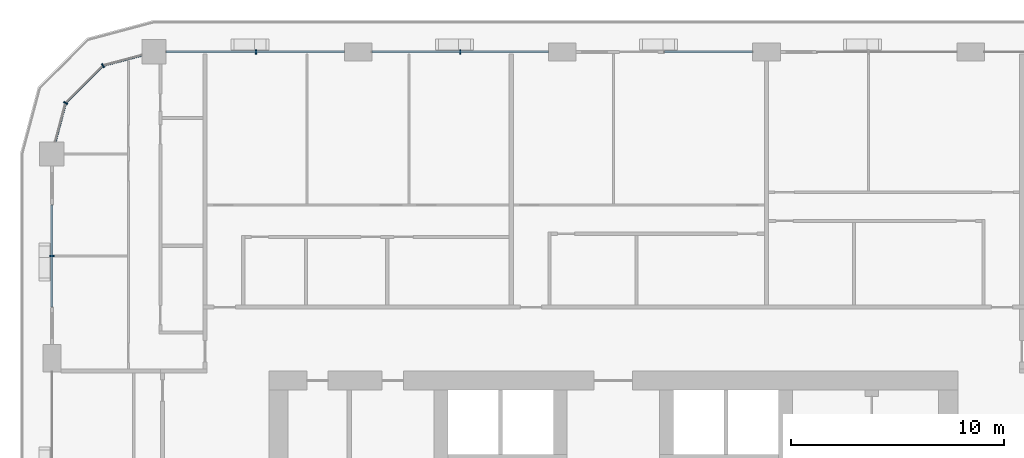
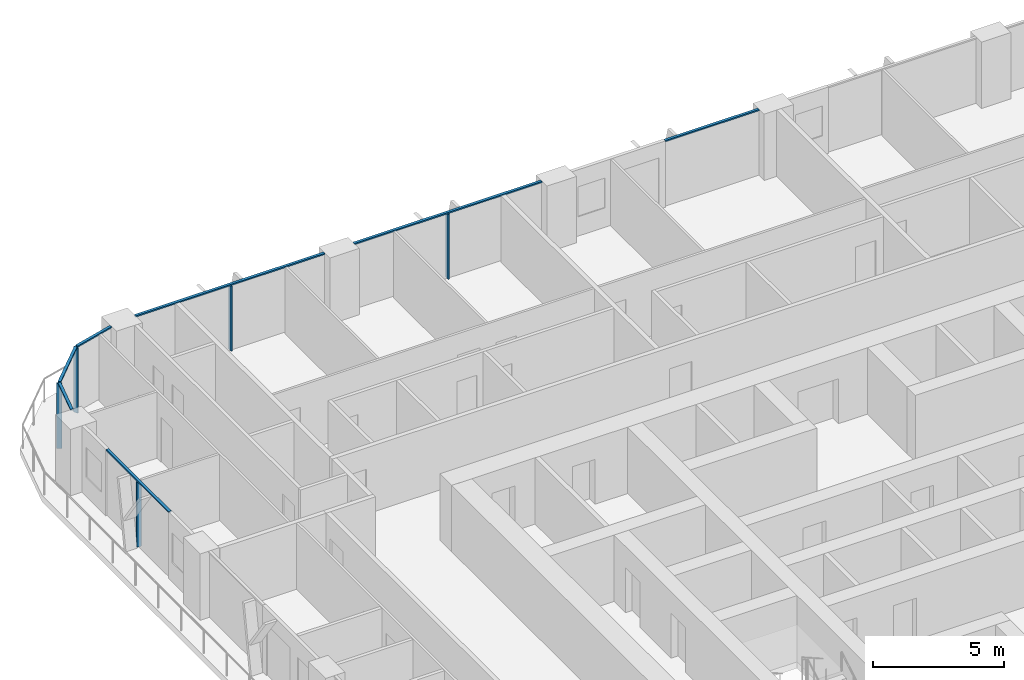
# One storey, part 5 of 21: 12 members, 5 elements without a shape of their own.
"""IFC4 building model written with IfcOpenShell, lengths in metres."""

from ifc_helpers import new_model, si_unit, direction, frame, origin, origin_2d, place, context, subcontext, project, spatial, rectangle, extrude, material, layer, layer_set, material_profile, profile_set, type_object, element, aggregate, save


model = new_model("IFC4")

# Units and contexts
model_context = context("Model", 3, precision=1e-05, world=origin(), true_north=direction((0.0, 1.0)))
body_context = subcontext(model_context, "Body", "Model", "MODEL_VIEW")
ifc_project = project(units=[si_unit("LENGTHUNIT", "METRE"), si_unit("AREAUNIT", "SQUARE_METRE"), si_unit("VOLUMEUNIT", "CUBIC_METRE"), si_unit("PLANEANGLEUNIT", "RADIAN"), si_unit("MASSUNIT", "GRAM", prefix="KILO")], contexts=[model_context])

# Site, building, storey
site_placement = place(None, origin())
site = spatial("IfcSite", under=ifc_project, at=site_placement, CompositionType="ELEMENT")
building_placement = place(site_placement, origin())
building = spatial("IfcBuilding", under=site, at=building_placement, Name="Madar Terraces", CompositionType="ELEMENT")
storey_placement = place(building_placement, frame((0.0, 0.0, 110.199951171875)))
storey = spatial("IfcBuildingStorey", under=building, at=storey_placement, Name="L28", CompositionType="ELEMENT", Elevation=110.199951171875)

# Curtain wall, member
ifc_material_1 = material(Name="Glass, ceramic frit dark grey, with black aluminium frame", Category="aluminium")
ifc_layer = layer(ifc_material_1, 0.199951171875)
ifc_layer_set = layer_set([ifc_layer], Name="Facade curtain wall, fritted glass")
curtain_wall_type = type_object("IfcCurtainWallType", Name="Facade curtain wall, fritted glass", PredefinedType="NOTDEFINED", material=ifc_layer_set)
curtain_wall_1_placement = place(storey_placement, origin())
curtain_wall_1 = element("IfcCurtainWall", 1, at=curtain_wall_1_placement, inside=storey, type_object=curtain_wall_type, Name="Outer skin curtain wall north bay 4", PredefinedType="NOTDEFINED")
ifc_material_2 = material(Name="Aluminium, black anodised", Category="aluminium")
ifc_material_profile_1 = material_profile(ifc_material_2, rectangle(XDim=0.199951171875, YDim=0.06005859375, at=origin_2d()), Name="Facade mullion 60x200")
ifc_profile_set_1 = profile_set([ifc_material_profile_1], Name="Aluminium, black anodised")
member_type_1 = type_object("IfcMemberType", Name="Facade mullion 60x200", PredefinedType="MULLION", material=ifc_profile_set_1)
member_1_placement = place(storey_placement, frame((24.0, 52.800048828125, 0.0), z_axis=(0.0, 0.0, 1.0), x_axis=(0.0, -1.0, 0.0)))
member_1 = element("IfcMember", 2, at=member_1_placement, type_object=member_type_1, Name="Mullion 1", PredefinedType="MULLION", context=body_context, shape_type="SweptSolid", body=[
    extrude(rectangle(XDim=0.199951171875, YDim=0.06005859375, at=origin_2d()), origin(), (0.0, 0.0, 1.0), 3.0400390625),
])

curtain_wall_2_placement = place(storey_placement, origin())
curtain_wall_2 = element("IfcCurtainWall", 3, at=curtain_wall_2_placement, inside=storey, type_object=curtain_wall_type, Name="Outer skin curtain wall north bay 5", PredefinedType="NOTDEFINED")
member_2_placement = place(storey_placement, frame((14.39990234375, 52.800048828125, 0.0), z_axis=(0.0, 0.0, 1.0), x_axis=(0.0, -1.0, 0.0)))
member_2 = element("IfcMember", 4, at=member_2_placement, type_object=member_type_1, Name="Mullion 1", PredefinedType="MULLION", context=body_context, shape_type="SweptSolid", body=[
    extrude(rectangle(XDim=0.199951171875, YDim=0.06005859375, at=origin_2d()), origin(), (0.0, 0.0, 1.0), 3.0400390625),
])

curtain_wall_3_placement = place(storey_placement, origin())
curtain_wall_3 = element("IfcCurtainWall", 5, at=curtain_wall_3_placement, inside=storey, type_object=curtain_wall_type, Name="Outer skin curtain wall west bay 1", PredefinedType="NOTDEFINED")
member_3_placement = place(storey_placement, frame((4.800048828125, 43.199951171875, 0.0), z_axis=(0.0, 0.0, 1.0), x_axis=(1.0, 0.0, 0.0)))
member_3 = element("IfcMember", 6, at=member_3_placement, type_object=member_type_1, Name="Mullion 1", PredefinedType="MULLION", context=body_context, shape_type="SweptSolid", body=[
    extrude(rectangle(XDim=0.199951171875, YDim=0.06005859375, at=origin_2d()), origin(), (0.0, 0.0, 1.0), 3.0400390625),
])

# Curtain wall, members
curtain_wall_4_placement = place(storey_placement, origin())
curtain_wall_4 = element("IfcCurtainWall", 7, at=curtain_wall_4_placement, inside=storey, type_object=curtain_wall_type, Name="Outer skin curtain wall north-west corner", PredefinedType="NOTDEFINED")
member_4_placement = place(storey_placement, frame((7.199951171875, 52.156982421875, 0.0), z_axis=(0.0, 0.0, 1.0), x_axis=(0.499999989586, -0.866025409797, 0.0)))
member_4 = element("IfcMember", 8, at=member_4_placement, type_object=member_type_1, Name="Mullion 1", PredefinedType="MULLION", context=body_context, shape_type="SweptSolid", body=[
    extrude(rectangle(XDim=0.199951171875, YDim=0.06005859375, at=origin_2d()), origin(), (0.0, 0.0, 1.0), 3.0400390625),
])
member_5_placement = place(storey_placement, frame((5.443115234375, 50.39990234375, 0.0), z_axis=(0.0, 0.0, 1.0), x_axis=(0.866025409797, -0.499999989586, 0.0)))
member_5 = element("IfcMember", 9, at=member_5_placement, type_object=member_type_1, Name="Mullion 2", PredefinedType="MULLION", context=body_context, shape_type="SweptSolid", body=[
    extrude(rectangle(XDim=0.199951171875, YDim=0.06005859375, at=origin_2d()), origin(), (0.0, 0.0, 1.0), 3.0400390625),
])

# Curtain wall, member
curtain_wall_5_placement = place(storey_placement, origin())
curtain_wall_5 = element("IfcCurtainWall", 10, at=curtain_wall_5_placement, inside=storey, type_object=curtain_wall_type, Name="Outer skin curtain wall north bay 3", PredefinedType="NOTDEFINED")
ifc_material_3 = material(Name="Aluminium, black anodised", Category="aluminium")
ifc_material_profile_2 = material_profile(ifc_material_3, rectangle(XDim=0.1201171875, YDim=0.06005859375, at=origin_2d()), Name="Facade transom 60x120")
ifc_profile_set_2 = profile_set([ifc_material_profile_2], Name="Aluminium, black anodised")
member_type_2 = type_object("IfcMemberType", Name="Facade transom 60x120", PredefinedType="USERDEFINED", material=ifc_profile_set_2)
member_6_placement = place(storey_placement, frame((37.75, 52.800048828125, 3.070068359375), z_axis=(-1.0, 0.0, 0.0), x_axis=(0.0, -1.0, 0.0)))
member_6 = element("IfcMember", 11, at=member_6_placement, type_object=member_type_2, Name="Transom 1", ObjectType="TRANSOM", PredefinedType="USERDEFINED", context=body_context, shape_type="SweptSolid", body=[
    extrude(rectangle(XDim=0.1201171875, YDim=0.06005859375, at=origin_2d()), origin(), (0.0, 0.0, 1.0), 4.14990234375),
])
aggregate(curtain_wall_5, [member_6])

# Member
member_7_placement = place(storey_placement, frame((28.14990234375, 52.800048828125, 3.070068359375), z_axis=(-1.0, 0.0, 0.0), x_axis=(0.0, -1.0, 0.0)))
member_7 = element("IfcMember", 12, at=member_7_placement, type_object=member_type_2, Name="Transom 1", ObjectType="TRANSOM", PredefinedType="USERDEFINED", context=body_context, shape_type="SweptSolid", body=[
    extrude(rectangle(XDim=0.1201171875, YDim=0.06005859375, at=origin_2d()), origin(), (0.0, 0.0, 1.0), 8.2998046875),
])

aggregate(curtain_wall_1, [member_1, member_7])

member_8_placement = place(storey_placement, frame((18.550048828125, 52.800048828125, 3.070068359375), z_axis=(-1.0, 0.0, 0.0), x_axis=(0.0, -1.0, 0.0)))
member_8 = element("IfcMember", 13, at=member_8_placement, type_object=member_type_2, Name="Transom 1", ObjectType="TRANSOM", PredefinedType="USERDEFINED", context=body_context, shape_type="SweptSolid", body=[
    extrude(rectangle(XDim=0.1201171875, YDim=0.06005859375, at=origin_2d()), origin(), (0.0, 0.0, 1.0), 8.375),
])

aggregate(curtain_wall_2, [member_2, member_8])

member_9_placement = place(storey_placement, frame((4.800048828125, 45.60009765625, 3.070068359375), z_axis=(0.0, -1.0, 0.0), x_axis=(1.0, 0.0, 0.0)))
member_9 = element("IfcMember", 14, at=member_9_placement, type_object=member_type_2, Name="Transom 1", ObjectType="TRANSOM", PredefinedType="USERDEFINED", context=body_context, shape_type="SweptSolid", body=[
    extrude(rectangle(XDim=0.1201171875, YDim=0.06005859375, at=origin_2d()), origin(), (0.0, 0.0, 1.0), 4.800048828125),
])

aggregate(curtain_wall_3, [member_3, member_9])

member_10_placement = place(storey_placement, frame((9.02490234375, 52.64599609375, 3.070068359375), z_axis=(-0.965926950947, -0.258814847786, 0.0), x_axis=(0.258814847786, -0.965926950947, 0.0)))
member_10 = element("IfcMember", 15, at=member_10_placement, type_object=member_type_2, Name="Transom 1", ObjectType="TRANSOM", PredefinedType="USERDEFINED", context=body_context, shape_type="SweptSolid", body=[
    extrude(rectangle(XDim=0.1201171875, YDim=0.06005859375, at=origin_2d()), origin(), (0.0, 0.0, 1.0), 1.859130859375),
])

member_11_placement = place(storey_placement, frame((7.1787109375, 52.1357421875, 3.070068359375), z_axis=(-0.707056433593, -0.707157125196, 0.0), x_axis=(0.707157125196, -0.707056433593, 0.0)))
member_11 = element("IfcMember", 16, at=member_11_placement, type_object=member_type_2, Name="Transom 2", ObjectType="TRANSOM", PredefinedType="USERDEFINED", context=body_context, shape_type="SweptSolid", body=[
    extrude(rectangle(XDim=0.1201171875, YDim=0.06005859375, at=origin_2d()), origin(), (0.0, 0.0, 1.0), 2.424560546875),
])

member_12_placement = place(storey_placement, frame((5.435302734375, 50.37109375, 3.070068359375), z_axis=(-0.258782024434, -0.965935745187, 0.0), x_axis=(0.965935745187, -0.258782024434, 0.0)))
member_12 = element("IfcMember", 17, at=member_12_placement, type_object=member_type_2, Name="Transom 3", ObjectType="TRANSOM", PredefinedType="USERDEFINED", context=body_context, shape_type="SweptSolid", body=[
    extrude(rectangle(XDim=0.1201171875, YDim=0.06005859375, at=origin_2d()), origin(), (0.0, 0.0, 1.0), 1.859375),
])

aggregate(curtain_wall_4, [member_4, member_10, member_5, member_11, member_12])

save(model, "model.ifc")
